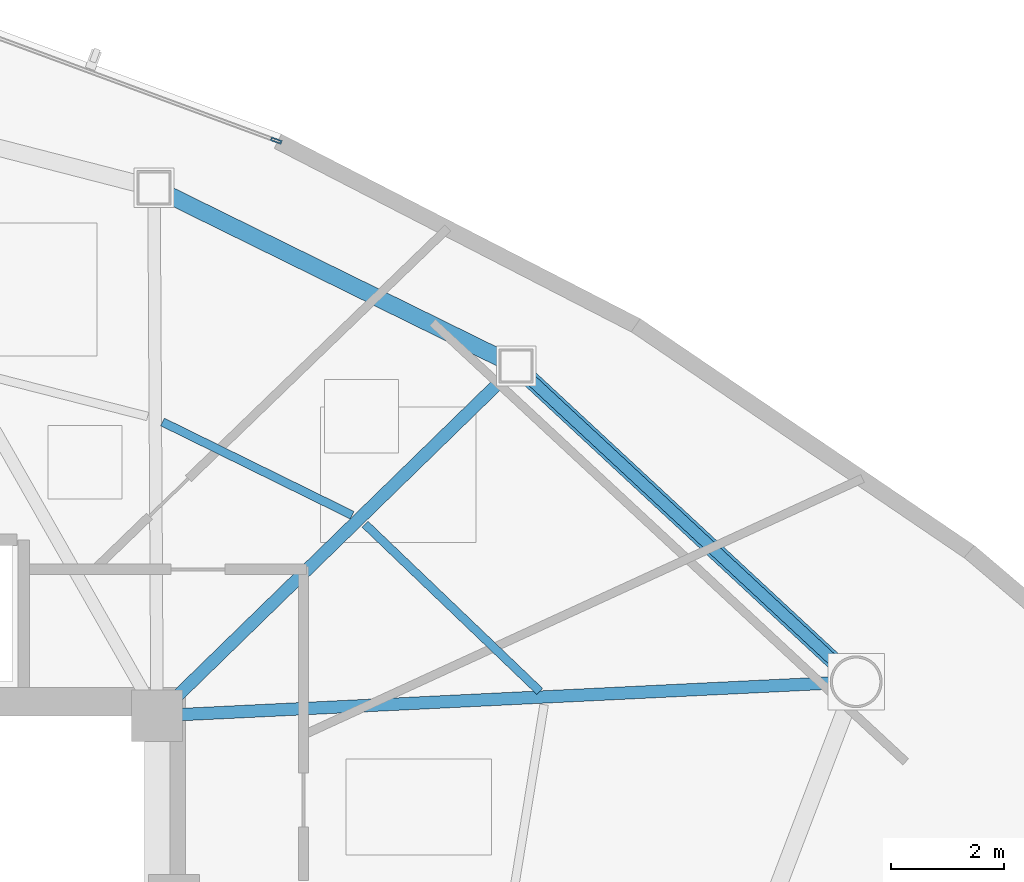
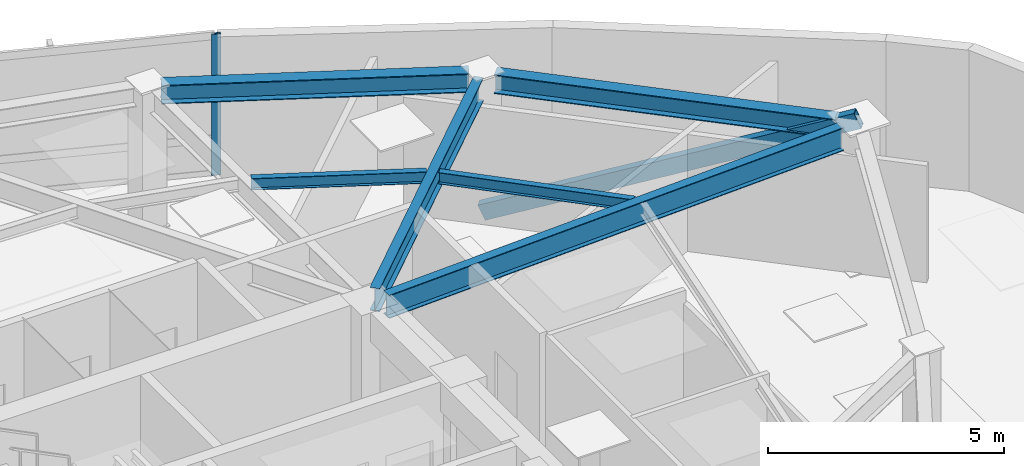
# One storey, part 8 of 15: 6 beams, 2 members, 1 element without a shape of its own.
"""IFC4 building model written with IfcOpenShell, lengths in metres."""

from ifc_helpers import new_model, si_unit, direction, frame, origin, origin_2d, place, context, subcontext, project, spatial, hollow_rectangle, i_section, extrude, source, transform, mapped, material, layer, layer_set, material_profile, profile_set, type_object, type_shapes, element, aggregate, save


model = new_model("IFC4")

# Units and contexts
model_context = context("Model", 3, precision=1e-05, world=origin(), true_north=direction((0.0, 1.0)))
body_context = subcontext(model_context, "Body", "Model", "MODEL_VIEW")
ifc_project = project(units=[si_unit("LENGTHUNIT", "METRE"), si_unit("AREAUNIT", "SQUARE_METRE"), si_unit("VOLUMEUNIT", "CUBIC_METRE"), si_unit("PLANEANGLEUNIT", "RADIAN"), si_unit("MASSUNIT", "GRAM", prefix="KILO")], contexts=[model_context])

# Site, building, storey
site_placement = place(None, origin())
site = spatial("IfcSite", under=ifc_project, at=site_placement, CompositionType="ELEMENT")
building_placement = place(site_placement, origin())
building = spatial("IfcBuilding", under=site, at=building_placement, Name="Tavelor Broadcast Tower", CompositionType="ELEMENT")
storey_placement = place(building_placement, frame((0.0, 0.0, 222.14990234375)))
storey = spatial("IfcBuildingStorey", under=building, at=storey_placement, Name="L52", CompositionType="ELEMENT", Elevation=222.14990234375)

# Beams
ifc_material_1 = material(Name="Steel S355", Category="steel")
ifc_material_profile_1 = material_profile(ifc_material_1, i_section(OverallWidth=0.14990234375, OverallDepth=0.300048828125, WebThickness=0.007080078125, FlangeThickness=0.0107421875, at=origin_2d()), Name="IPE 300")
ifc_profile_set_1 = profile_set([ifc_material_profile_1], Name="Steel S355")
beam_type_1 = type_object("IfcBeamType", Name="Composite Floor Joist T5 IPE 300", PredefinedType="JOIST", material=ifc_profile_set_1)
beam_1_placement = place(storey_placement, frame((63.3427734375, 51.629150390625, 3.5), z_axis=(-0.722407874214, 0.691467181632, 0.0), x_axis=(-0.691467181632, -0.722407874214, 0.0)))
element("IfcBeam", 1, at=beam_1_placement, inside=storey, type_object=beam_type_1, Name="L52 Secondary Composite Floor Joist 13", PredefinedType="JOIST", context=body_context, shape_type="SweptSolid", body=[
    extrude(i_section(OverallWidth=0.14990234375, OverallDepth=0.300048828125, WebThickness=0.007080078125, FlangeThickness=0.0107421875, at=origin_2d()), origin(), (0.0, 0.0, 1.0), 4.260986328125),
])
beam_2_placement = place(storey_placement, frame((60.038818359375, 54.7333984375, 3.5), z_axis=(-0.897394619692, 0.441228848272, 0.0), x_axis=(-0.441228848272, -0.897394619692, 0.0)))
element("IfcBeam", 2, at=beam_2_placement, inside=storey, type_object=beam_type_1, Name="L52 Secondary Composite Floor Joist 14", PredefinedType="JOIST", context=body_context, shape_type="SweptSolid", body=[
    extrude(i_section(OverallWidth=0.14990234375, OverallDepth=0.300048828125, WebThickness=0.007080078125, FlangeThickness=0.0107421875, at=origin_2d()), origin(), (0.0, 0.0, 1.0), 3.7265625),
])
ifc_material_profile_2 = material_profile(ifc_material_1, i_section(OverallWidth=0.300048828125, OverallDepth=0.489990234375, WebThickness=0.011962890625, FlangeThickness=0.02294921875, at=origin_2d()), Name="HEA 500")
ifc_profile_set_2 = profile_set([ifc_material_profile_2], Name="Steel S355")
beam_type_2 = type_object("IfcBeamType", Name="Perimeter Spandrel Beam T5 HEA 500", PredefinedType="SPANDREL", material=ifc_profile_set_2)
beam_3_placement = place(storey_placement, frame((68.59814453125, 52.09765625, 3.405029296875), z_axis=(-0.732770151307, 0.680476234231, 0.0), x_axis=(-0.680476234231, -0.732770151307, 0.0)))
element("IfcBeam", 3, at=beam_3_placement, inside=storey, type_object=beam_type_2, Name="L52 Framed-Tube Ring Spandrel 13", PredefinedType="SPANDREL", context=body_context, shape_type="SweptSolid", body=[
    extrude(i_section(OverallWidth=0.300048828125, OverallDepth=0.489990234375, WebThickness=0.011962890625, FlangeThickness=0.02294921875, at=origin_2d()), origin(), (0.0, 0.0, 1.0), 7.451171875),
])
beam_4_placement = place(storey_placement, frame((62.668701171875, 57.4912109375, 3.405029296875), z_axis=(-0.897262651787, 0.441497150284, 0.0), x_axis=(-0.441497150284, -0.897262651787, 0.0)))
element("IfcBeam", 4, at=beam_4_placement, inside=storey, type_object=beam_type_2, Name="L52 Framed-Tube Ring Spandrel 14", PredefinedType="SPANDREL", context=body_context, shape_type="SweptSolid", body=[
    extrude(i_section(OverallWidth=0.300048828125, OverallDepth=0.489990234375, WebThickness=0.011962890625, FlangeThickness=0.02294921875, at=origin_2d()), origin(), (0.0, 0.0, 1.0), 6.536376953125),
])

# Member
ifc_material_profile_3 = material_profile(ifc_material_1, hollow_rectangle(XDim=0.199951171875, YDim=0.39990234375, WallThickness=0.01611328125, at=origin_2d()), Name="RHS 400x200x16")
ifc_profile_set_3 = profile_set([ifc_material_profile_3], Name="Steel S355")
member_type_1 = type_object("IfcMemberType", Name="Perimeter Tube Brace T5 RHS 400x200x16", PredefinedType="BRACE", material=ifc_profile_set_3)
member_1_placement = place(storey_placement, frame((62.92724609375, 57.364013671875, 0.0), z_axis=(0.669132570724, -0.621397751765, 0.407586109794), x_axis=(0.680486595916, 0.732760528944, 0.0)))
element("IfcMember", 5, at=member_1_placement, inside=storey, type_object=member_type_1, Name="L52 Corner Tube Diagonal Brace 3", PredefinedType="BRACE", context=body_context, shape_type="SweptSolid", body=[
    extrude(hollow_rectangle(XDim=0.199951171875, YDim=0.39990234375, WallThickness=0.01611328125, at=origin_2d()), origin(), (0.0, 0.0, 1.0), 8.95556640625),
])

# Beams
ifc_material_profile_4 = material_profile(ifc_material_1, i_section(OverallWidth=0.219970703125, OverallDepth=0.60009765625, WebThickness=0.011962890625, FlangeThickness=0.01904296875, at=origin_2d()), Name="IPE 600")
ifc_profile_set_4 = profile_set([ifc_material_profile_4], Name="Steel S355")
beam_type_3 = type_object("IfcBeamType", Name="Radial Floor Girder T5 IPE 600", PredefinedType="BEAM", material=ifc_profile_set_4)
beam_5_placement = place(storey_placement, frame((57.031494140625, 51.220947265625, 3.35009765625), z_axis=(0.998819342989, 0.048579008537, 0.0), x_axis=(-0.048579008537, 0.998819342989, 0.0)))
element("IfcBeam", 6, at=beam_5_placement, inside=storey, type_object=beam_type_3, Name="L52 Radial Primary Floor Girder 13", PredefinedType="BEAM", context=body_context, shape_type="SweptSolid", body=[
    extrude(i_section(OverallWidth=0.219970703125, OverallDepth=0.60009765625, WebThickness=0.011962890625, FlangeThickness=0.01904296875, at=origin_2d()), origin(), (0.0, 0.0, 1.0), 11.46337890625),
])
beam_6_placement = place(storey_placement, frame((56.909423828125, 51.50146484375, 3.35009765625), z_axis=(0.716299388852, 0.697793082175, 0.0), x_axis=(-0.697793082175, 0.716299388852, 0.0)))
element("IfcBeam", 7, at=beam_6_placement, inside=storey, type_object=beam_type_3, Name="L52 Radial Primary Floor Girder 14", PredefinedType="BEAM", context=body_context, shape_type="SweptSolid", body=[
    extrude(i_section(OverallWidth=0.219970703125, OverallDepth=0.60009765625, WebThickness=0.011962890625, FlangeThickness=0.01904296875, at=origin_2d()), origin(), (0.0, 0.0, 1.0), 8.11328125),
])

# Curtain wall, member
ifc_material_2 = material(Name="Architectural Anodized Aluminium", Category="aluminium")
ifc_layer = layer(ifc_material_2, 0.199951171875)
ifc_layer_set = layer_set([ifc_layer], Name="Architectural Anodized Aluminium")
curtain_wall_type = type_object("IfcCurtainWallType", Name="Tower High-Zone Triple-Glazed Curtain Wall CW04", PredefinedType="NOTDEFINED", material=ifc_layer_set)
curtain_wall_placement = place(storey_placement, origin())
curtain_wall = element("IfcCurtainWall", 8, at=curtain_wall_placement, inside=storey, type_object=curtain_wall_type, Name="L52 Curtain Wall CW04 Run 561", PredefinedType="NOTDEFINED")
ifc_material_profile_5 = material_profile(ifc_material_2, hollow_rectangle(XDim=0.070068359375, YDim=0.199951171875, WallThickness=0.02197265625, at=origin_2d()), Name="RHS 70x200x22")
ifc_profile_set_5 = profile_set([ifc_material_profile_5], Name="Architectural Anodized Aluminium")
member_type_2 = type_object("IfcMemberType", Name="CW04 Extruded Aluminium Mullion 70x200", PredefinedType="MULLION", material=ifc_profile_set_5)
shared_shape = source(origin(), body_context, "Body", "SweptSolid", [
    extrude(hollow_rectangle(XDim=0.070068359375, YDim=0.199951171875, WallThickness=0.02197265625, at=origin_2d()), origin(), (0.0, 0.0, 1.0), 3.650146484375),
])
type_shapes(member_type_2, [shared_shape])
member_2_placement = place(storey_placement, frame((58.7001953125, 61.3349609375, 0.0), z_axis=(0.0, 0.0, 1.0), x_axis=(-0.346526528405, -0.93804017244, 0.0)))
member_2 = element("IfcMember", 9, at=member_2_placement, type_object=member_type_2, Name="CW04 mullion 1", PredefinedType="MULLION", context=body_context, shape_type="MappedRepresentation", body=[
    mapped(shared_shape, transform((0.0, 0.0, 0.0), scale=1.0)),
])
aggregate(curtain_wall, [member_2])

save(model, "model.ifc")
